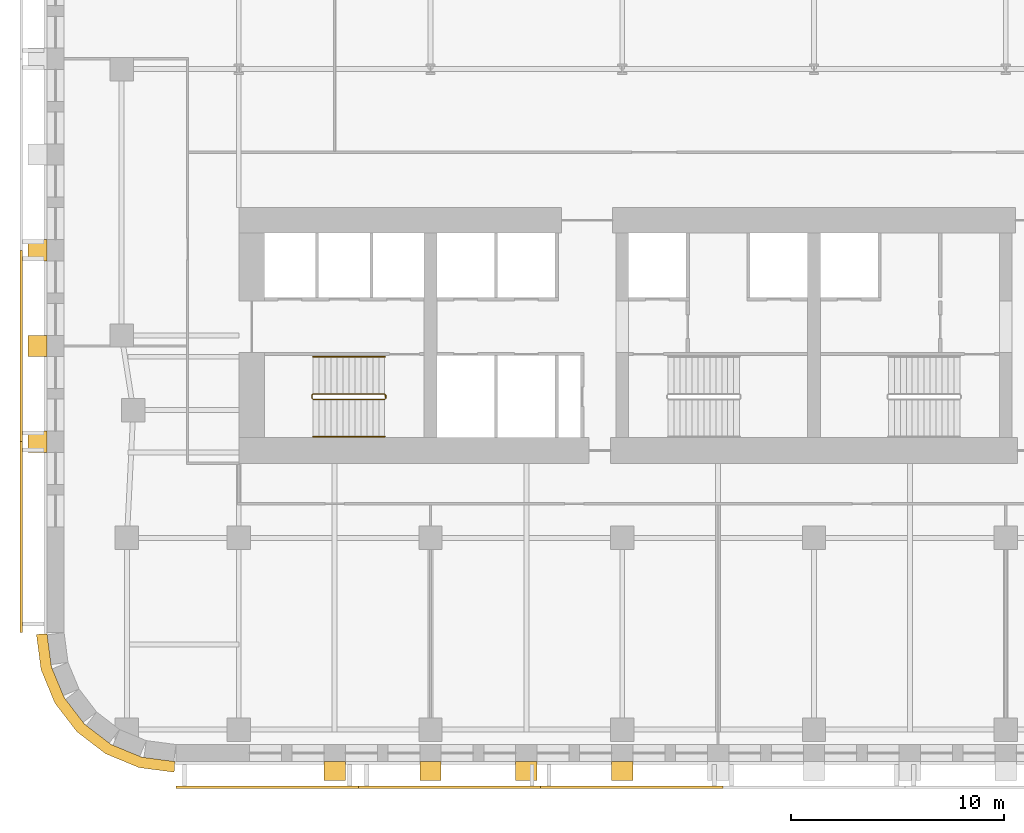
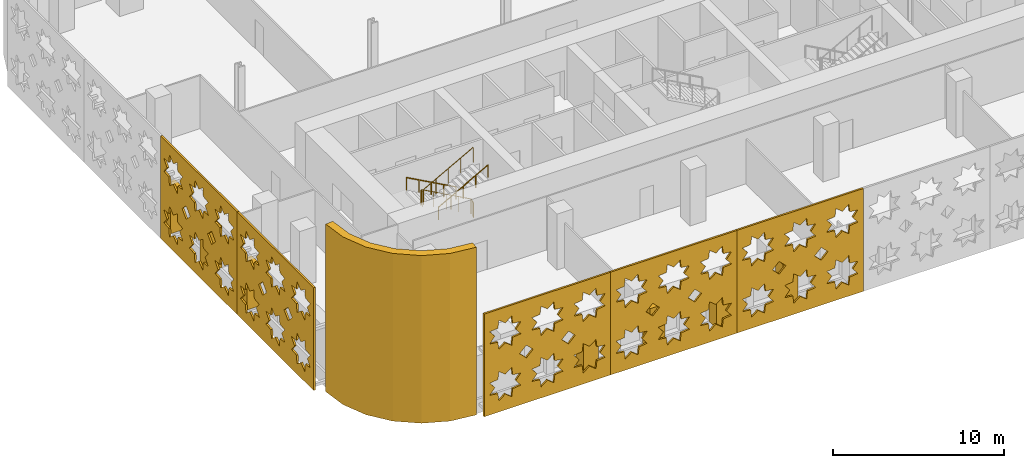
# One storey, part 9 of 13: 13 coverings, 3 railings.
"""IFC4 building model written with IfcOpenShell, lengths in metres."""

import ifcopenshell
import ifcopenshell.guid

model = None  # the IFC model being written
_history = None  # IfcOwnerHistory: only IFC2X3 demands one
_inside = {}  # id of a spatial element -> (the spatial element, [elements in it])
_under = {}  # id of a project, library or spatial element -> (it, [spatial elements below it])
_declared = {}  # id of a project -> (the project, [libraries it declares])
_typed = {}  # id of a type object -> (the type object, [elements of that type])
_made_of = {}  # id of a material, layer set ... -> (it, [elements and type objects made of it])


def new_model(schema):
    """Start an empty IFC model of exactly this schema.

    Asked for "IFC4X3", IfcOpenShell would pick the latest addendum, in which some entities
    have other attributes; the version numbers below select the first issue.
    IFC2X3 requires an IfcOwnerHistory on every rooted entity: one is made here for all.
    """
    global model, _history
    if schema == "IFC4X3":
        model = ifcopenshell.file(schema_version=(4, 3, 0, 0))
    else:
        model = ifcopenshell.file(schema=schema)
    _inside.clear()
    _under.clear()
    _declared.clear()
    _typed.clear()
    _made_of.clear()
    _history = None
    if model.schema == "IFC2X3":
        org = make("IfcOrganization", Name="unknown")
        user = make(
            "IfcPersonAndOrganization",
            ThePerson=make("IfcPerson", FamilyName="unknown"),
            TheOrganization=org,
        )
        app = make(
            "IfcApplication",
            ApplicationDeveloper=org,
            Version="unknown",
            ApplicationFullName="unknown",
            ApplicationIdentifier="unknown",
        )
        _history = make(
            "IfcOwnerHistory",
            OwningUser=user,
            OwningApplication=app,
            ChangeAction="ADDED",
            CreationDate=0,
        )
    return model


def make(cls, **values):
    """One entity of the class cls with the attributes given. An attribute that is None is left unset."""
    return model.create_entity(
        cls, **{name: value for name, value in values.items() if value is not None}
    )


def rooted(cls, **values):
    """An entity with a GlobalId (a new one), such as an element, a storey or a relation."""
    return make(cls, GlobalId=ifcopenshell.guid.new(), OwnerHistory=_history, **values)


def si_unit(unit_type, name, prefix=None):
    """IfcSIUnit, for example si_unit("LENGTHUNIT", "METRE", prefix="MILLI")."""
    return make("IfcSIUnit", UnitType=unit_type, Prefix=prefix, Name=name)


def assignment(units):
    """IfcUnitAssignment: the units of a project."""
    return None if units is None else make("IfcUnitAssignment", Units=units)


def point(xyz):
    """IfcCartesianPoint."""
    return None if xyz is None else make("IfcCartesianPoint", Coordinates=xyz)


def direction(xyz):
    """IfcDirection."""
    return None if xyz is None else make("IfcDirection", DirectionRatios=xyz)


def frame(location, z_axis=None, x_axis=None):
    """IfcAxis2Placement3D, a coordinate frame: its origin and axes. An axis left out is left unset."""
    return make(
        "IfcAxis2Placement3D",
        Location=point(location),
        Axis=direction(z_axis),
        RefDirection=direction(x_axis),
    )


def frame_2d(location, x_axis=None):
    """IfcAxis2Placement2D, a coordinate frame in the plane: its origin and x axis."""
    return make(
        "IfcAxis2Placement2D", Location=point(location), RefDirection=direction(x_axis)
    )


def origin():
    """The frame at (0, 0, 0) with its axes left unset."""
    return frame((0.0, 0.0, 0.0))


def origin_2d():
    """The frame at (0, 0) in the plane with its x axis left unset."""
    return frame_2d((0.0, 0.0))


def place(relative_to, where):
    """IfcLocalPlacement: puts the frame where relative to a parent placement (None: the world)."""
    return make(
        "IfcLocalPlacement", PlacementRelTo=relative_to, RelativePlacement=where
    )


def context(
    kind, dimensions, precision=None, world=None, true_north=None, identifier=None
):
    """IfcGeometricRepresentationContext, for example the 3D "Model" context."""
    return make(
        "IfcGeometricRepresentationContext",
        ContextIdentifier=identifier,
        ContextType=kind,
        CoordinateSpaceDimension=dimensions,
        Precision=precision,
        WorldCoordinateSystem=world,
        TrueNorth=true_north,
    )


def subcontext(parent, identifier, kind, view, scale=None):
    """IfcGeometricRepresentationSubContext, for example "Body" below "Model"."""
    return make(
        "IfcGeometricRepresentationSubContext",
        ContextIdentifier=identifier,
        ContextType=kind,
        ParentContext=parent,
        TargetScale=scale,
        TargetView=view,
    )


def project(units=None, contexts=None):
    """IfcProject with its units and contexts."""
    return rooted(
        "IfcProject",
        Name="project",
        RepresentationContexts=contexts,
        UnitsInContext=assignment(units),
    )


def spatial(cls, under=None, at=None, **own):
    """A site, building, storey or space (cls), placed at a placement, below another one or the project."""
    s = rooted(cls, ObjectPlacement=at, **own)
    if under is not None:
        _under.setdefault(under.id(), (under, []))[1].append(s)
    return s


def polyline(points):
    """IfcPolyline through the points."""
    return make("IfcPolyline", Points=[point(p) for p in points])


def profile(cls, at=None, kind="AREA", **sizes):
    """A parametric profile (cls). Its sizes go by their IFC names, for example OverallWidth=200.0."""
    return make(cls, ProfileType=kind, Position=at, **sizes)


def circle(**sizes):
    """IfcCircleProfileDef."""
    return profile("IfcCircleProfileDef", **sizes)


def outline(outer, holes=None, kind="AREA"):
    """IfcArbitraryClosedProfileDef: a profile drawn as a closed curve; with holes, ...WithVoids."""
    if holes is None:
        return make("IfcArbitraryClosedProfileDef", ProfileType=kind, OuterCurve=outer)
    return make(
        "IfcArbitraryProfileDefWithVoids",
        ProfileType=kind,
        OuterCurve=outer,
        InnerCurves=holes,
    )


def extrude(swept, where, along, depth):
    """IfcExtrudedAreaSolid: the profile swept, set in the frame where, extruded along a direction by depth."""
    return make(
        "IfcExtrudedAreaSolid",
        SweptArea=swept,
        Position=where,
        ExtrudedDirection=direction(along),
        Depth=depth,
    )


def shape(context_of_items, identifier, shape_type, items):
    """IfcShapeRepresentation: the items that make up one representation, for example the "Body"."""
    return make(
        "IfcShapeRepresentation",
        ContextOfItems=context_of_items,
        RepresentationIdentifier=identifier,
        RepresentationType=shape_type,
        Items=items,
    )


def material(Name=None, Category=None):
    """IfcMaterial."""
    return make("IfcMaterial", Name=Name, Category=Category)


def layer(
    of_material, thickness, ventilated=None, Name=None, Category=None, Priority=None
):
    """IfcMaterialLayer: one layer of a wall or slab, of a material (None: an air gap)."""
    return make(
        "IfcMaterialLayer",
        Material=of_material,
        LayerThickness=thickness,
        IsVentilated=ventilated,
        Name=Name,
        Category=Category,
        Priority=Priority,
    )


def layer_set(layers, Name=None):
    """IfcMaterialLayerSet."""
    return make("IfcMaterialLayerSet", MaterialLayers=layers, LayerSetName=Name)


def made_of(thing, what):
    """Note that an element or type object is made of a material, layer set ...; save() writes the relation."""
    if what is not None:
        _made_of.setdefault(what.id(), (what, []))[1].append(thing)
    return thing


def type_object(cls, material=None, **own):
    """A type object (cls), such as IfcWallType, which elements share."""
    return made_of(rooted(cls, **own), material)


def element(
    cls,
    number,
    at=None,
    inside=None,
    cuts=None,
    type_object=None,
    material=None,
    context=None,
    identifier="Body",
    shape_type=None,
    held_by="IfcProductDefinitionShape",
    body=None,
    shapes=None,
    **own,
):
    """One element of the class cls, such as IfcWall. Its Tag is "e" and its number.

    at: its placement. inside: the storey or other place that contains it. cuts: it is an
    opening in that element (IfcRelVoidsElement). A single representation is given by context,
    identifier, shape_type and body (its items); several are given by shapes. held_by: the class
    of the entity that holds the representations. save() writes the other relations.
    """
    e = rooted(cls, Tag="e%d" % number, ObjectPlacement=at, **own)
    if body is not None:
        shapes = [shape(context, identifier, shape_type, body)]
    if shapes is not None:
        e.Representation = make(held_by, Representations=shapes)
    if inside is not None:
        _inside.setdefault(inside.id(), (inside, []))[1].append(e)
    if cuts is not None:
        rooted(
            "IfcRelVoidsElement", RelatingBuildingElement=cuts, RelatedOpeningElement=e
        )
    if type_object is not None:
        _typed.setdefault(type_object.id(), (type_object, []))[1].append(e)
    return made_of(e, material)


def aggregate(whole, parts):
    """IfcRelAggregates: a whole, such as a stair, and the parts it consists of."""
    return rooted("IfcRelAggregates", RelatingObject=whole, RelatedObjects=parts)


def save(model, path):
    """Write the relations noted so far, then the file.

    IfcRelAggregates (storeys below a building ...), IfcRelContainedInSpatialStructure (elements
    in a storey), IfcRelDefinesByType, IfcRelAssociatesMaterial and IfcRelDeclares: one each for
    every whole, place, type object, material and project.
    """
    for whole, parts in _under.values():
        aggregate(whole, parts)
    for where, things in _inside.values():
        rooted(
            "IfcRelContainedInSpatialStructure",
            RelatedElements=things,
            RelatingStructure=where,
        )
    for kind, things in _typed.values():
        rooted("IfcRelDefinesByType", RelatedObjects=things, RelatingType=kind)
    for what, things in _made_of.values():
        rooted("IfcRelAssociatesMaterial", RelatedObjects=things, RelatingMaterial=what)
    for by, libraries in _declared.values():
        rooted("IfcRelDeclares", RelatingContext=by, RelatedDefinitions=libraries)
    model.write(path)


model = new_model("IFC4")

# Units and contexts
model_context = context("Model", 3, precision=1e-05, world=origin(), true_north=direction((0.0, 1.0)))
body_context = subcontext(model_context, "Body", "Model", "MODEL_VIEW")
ifc_project = project(units=[si_unit("LENGTHUNIT", "METRE"), si_unit("AREAUNIT", "SQUARE_METRE"), si_unit("VOLUMEUNIT", "CUBIC_METRE"), si_unit("PLANEANGLEUNIT", "RADIAN"), si_unit("MASSUNIT", "GRAM", prefix="KILO")], contexts=[model_context])

# Site, building, storey
site_placement = place(None, origin())
site = spatial("IfcSite", under=ifc_project, at=site_placement, CompositionType="ELEMENT")
building_placement = place(site_placement, origin())
building = spatial("IfcBuilding", under=site, at=building_placement, Name="Zellij Exchange Tower", CompositionType="ELEMENT")
storey_placement = place(building_placement, frame((0.0, 0.0, 52.5)))
storey = spatial("IfcBuildingStorey", under=building, at=storey_placement, Name="L09", CompositionType="ELEMENT", Elevation=52.5)

# Railings
ifc_material_1 = material(Name="Stainless steel", Category="steel")
railing_type_1 = type_object("IfcRailingType", Name="CORE-RG stair guard", PredefinedType="GUARDRAIL", material=ifc_material_1)
railing_1_placement = place(storey_placement, frame((-20.10009765625, -10.800048828125, 0.0)))
element("IfcRailing", 1, at=railing_1_placement, inside=storey, type_object=railing_type_1, Name="ST1 stair guard L09", PredefinedType="GUARDRAIL", context=body_context, shape_type="SweptSolid", body=[
    extrude(circle(Radius=0.02392578125, at=origin_2d()), frame((0.0, 0.0, 1.076171875), z_axis=(0.0, -1.0, 0.0), x_axis=(1.0, 0.0, 0.0)), (0.0, 0.0, 1.0), 0.14990234375),
    extrude(circle(Radius=0.02392578125, at=origin_2d()), frame((0.0, -0.14990234375, 1.076171875), z_axis=(-0.193691321961, 0.777613689637, 0.598164376644), x_axis=(-0.970351222016, -0.241699205484, 0.0)), (0.0, 0.0, 1.0), 0.257080078125),
    extrude(circle(Radius=0.02392578125, at=origin_2d()), frame((-0.0498046875, 0.050048828125, 1.22998046875), z_axis=(-0.876421534553, 0.0, 0.481544695509), x_axis=(0.0, -1.0, 0.0)), (0.0, 0.0, 1.0), 3.833984375),
    extrude(circle(Radius=0.02392578125, at=origin_2d()), frame((-3.409912109375, 0.050048828125, 3.076171875), z_axis=(-0.707106781187, -0.707106781187, 0.0), x_axis=(0.707106781187, -0.707106781187, 0.0)), (0.0, 0.0, 1.0), 0.07080078125),
    extrude(circle(Radius=0.02392578125, at=origin_2d()), frame((-3.4599609375, 0.0, 3.076171875), z_axis=(0.0, -1.0, 0.0), x_axis=(1.0, 0.0, 0.0)), (0.0, 0.0, 1.0), 0.14990234375),
    extrude(circle(Radius=0.02392578125, at=origin_2d()), frame((-3.4599609375, -0.14990234375, 3.076171875), z_axis=(0.295599637079, -0.295599637079, 0.908428152975), x_axis=(0.707106781187, 0.707106781187, 0.0)), (0.0, 0.0, 1.0), 0.16943359375),
    extrude(circle(Radius=0.02392578125, at=origin_2d()), frame((-3.409912109375, -0.199951171875, 3.22998046875), z_axis=(0.876421534553, 0.0, 0.481544695509), x_axis=(0.0, 1.0, 0.0)), (0.0, 0.0, 1.0), 3.833984375),
    extrude(circle(Radius=0.02099609375, at=origin_2d()), origin(), (0.0, 0.0, 1.0), 1.052001953125),
    extrude(circle(Radius=0.02099609375, at=origin_2d()), frame((0.0, -0.14990234375, 0.0)), (0.0, 0.0, 1.0), 1.052001953125),
    extrude(circle(Radius=0.02099609375, at=origin_2d()), frame((-0.0498046875, 0.050048828125, 0.15380859375)), (0.0, 0.0, 1.0), 1.052001953125),
    extrude(circle(Radius=0.02099609375, at=origin_2d()), frame((-0.889892578125, 0.050048828125, 0.615234375)), (0.0, 0.0, 1.0), 1.052001953125),
    extrude(circle(Radius=0.02099609375, at=origin_2d()), frame((-1.72998046875, 0.050048828125, 1.076904296875)), (0.0, 0.0, 1.0), 1.052001953125),
    extrude(circle(Radius=0.02099609375, at=origin_2d()), frame((-2.56982421875, 0.050048828125, 1.53857421875)), (0.0, 0.0, 1.0), 1.052001953125),
    extrude(circle(Radius=0.02099609375, at=origin_2d()), frame((-3.409912109375, 0.050048828125, 2.0)), (0.0, 0.0, 1.0), 1.052001953125),
    extrude(circle(Radius=0.02099609375, at=origin_2d()), frame((-3.4599609375, 0.0, 2.0)), (0.0, 0.0, 1.0), 1.052001953125),
    extrude(circle(Radius=0.02099609375, at=origin_2d()), frame((-3.4599609375, -0.14990234375, 2.0)), (0.0, 0.0, 1.0), 1.052001953125),
    extrude(circle(Radius=0.02099609375, at=origin_2d()), frame((-3.409912109375, -0.199951171875, 2.15380859375)), (0.0, 0.0, 1.0), 1.052001953125),
    extrude(circle(Radius=0.02099609375, at=origin_2d()), frame((-2.56982421875, -0.199951171875, 2.615234375)), (0.0, 0.0, 1.0), 1.052001953125),
    extrude(circle(Radius=0.02099609375, at=origin_2d()), frame((-1.72998046875, -0.199951171875, 3.076904296875)), (0.0, 0.0, 1.0), 1.052001953125),
    extrude(circle(Radius=0.02099609375, at=origin_2d()), frame((-0.889892578125, -0.199951171875, 3.53857421875)), (0.0, 0.0, 1.0), 1.052001953125),
    extrude(circle(Radius=0.02099609375, at=origin_2d()), frame((-0.0498046875, -0.199951171875, 4.0)), (0.0, 0.0, 1.0), 1.052001953125),
])
railing_type_2 = type_object("IfcRailingType", Name="CORE-RH stair handrail", PredefinedType="HANDRAIL", material=ifc_material_1)
railing_2_placement = place(storey_placement, frame((-20.14990234375, -9.0, 0.15380859375)))
element("IfcRailing", 2, at=railing_2_placement, inside=storey, type_object=railing_type_2, Name="ST1 stair handrail L09", PredefinedType="HANDRAIL", context=body_context, shape_type="SweptSolid", body=[
    extrude(circle(Radius=0.02392578125, at=origin_2d()), frame((0.0, 0.0, 0.8759765625), z_axis=(-0.876421534553, 0.0, 0.481544695509), x_axis=(0.0, -1.0, 0.0)), (0.0, 0.0, 1.0), 3.833984375),
    extrude(circle(Radius=0.02099609375, at=origin_2d()), origin(), (0.0, 0.0, 1.0), 0.851806640625),
    extrude(circle(Radius=0.02099609375, at=origin_2d()), frame((-0.840087890625, 0.0, 0.46142578125)), (0.0, 0.0, 1.0), 0.851806640625),
    extrude(circle(Radius=0.02099609375, at=origin_2d()), frame((-1.68017578125, 0.0, 0.923095703125)), (0.0, 0.0, 1.0), 0.851806640625),
    extrude(circle(Radius=0.02099609375, at=origin_2d()), frame((-2.52001953125, 0.0, 1.384765625)), (0.0, 0.0, 1.0), 0.851806640625),
    extrude(circle(Radius=0.02099609375, at=origin_2d()), frame((-3.360107421875, 0.0, 1.84619140625)), (0.0, 0.0, 1.0), 0.851806640625),
])
railing_3_placement = place(storey_placement, frame((-23.510009765625, -12.75, 2.15380859375)))
element("IfcRailing", 3, at=railing_3_placement, inside=storey, type_object=railing_type_2, Name="ST1 stair handrail L09", PredefinedType="HANDRAIL", context=body_context, shape_type="SweptSolid", body=[
    extrude(circle(Radius=0.02392578125, at=origin_2d()), frame((0.0, 0.0, 0.8759765625), z_axis=(0.876421534553, 0.0, 0.481544695509), x_axis=(0.0, 1.0, 0.0)), (0.0, 0.0, 1.0), 3.833984375),
    extrude(circle(Radius=0.02099609375, at=origin_2d()), origin(), (0.0, 0.0, 1.0), 0.851806640625),
    extrude(circle(Radius=0.02099609375, at=origin_2d()), frame((0.840087890625, 0.0, 0.46142578125)), (0.0, 0.0, 1.0), 0.851806640625),
    extrude(circle(Radius=0.02099609375, at=origin_2d()), frame((1.68017578125, 0.0, 0.923095703125)), (0.0, 0.0, 1.0), 0.851806640625),
    extrude(circle(Radius=0.02099609375, at=origin_2d()), frame((2.52001953125, 0.0, 1.384765625)), (0.0, 0.0, 1.0), 0.851806640625),
    extrude(circle(Radius=0.02099609375, at=origin_2d()), frame((3.360107421875, 0.0, 1.84619140625)), (0.0, 0.0, 1.0), 0.851806640625),
])

# Coverings
ifc_material_2 = material(Name="Limestone cladding", Category="masonry")
ifc_layer_1 = layer(ifc_material_2, 0.5)
ifc_layer_set_1 = layer_set([ifc_layer_1], Name="Limestone cladding")
covering_type_1 = type_object("IfcCoveringType", Name="ENV-CV12 Stone corner pier 500", PredefinedType="CLADDING", material=ifc_layer_set_1)
covering_1_placement = place(storey_placement, origin())
element("IfcCovering", 4, at=covering_1_placement, inside=storey, type_object=covering_type_1, Name="Stone corner pier", PredefinedType="CLADDING", context=body_context, shape_type="SweptSolid", body=[
    extrude(outline(polyline([(-36.0, -22.0), (-35.795654296875, -23.552978515625), (-35.1962890625, -25.0), (-34.24267578125, -26.24267578125), (-33.0, -27.1962890625), (-31.552978515625, -27.795654296875), (-30.0, -28.0), (-30.03271484375, -28.5), (-31.683349609375, -28.28271484375), (-33.252197265625, -27.6328125), (-34.59912109375, -26.59912109375), (-35.6328125, -25.252197265625), (-36.28271484375, -23.683349609375), (-36.5, -22.03271484375), (-36.0, -22.0)])), origin(), (0.0, 0.0, 1.0), 12.0),
])
covering_type_2 = type_object("IfcCoveringType", Name="ENV-CV2 Stone pier 1000x900", PredefinedType="CLADDING", material=ifc_material_2)
covering_2_placement = place(storey_placement, frame((0.0, 0.0, 0.800048828125)))
element("IfcCovering", 5, at=covering_2_placement, inside=storey, type_object=covering_type_2, Name="Stone pier", PredefinedType="CLADDING", context=body_context, shape_type="SweptSolid", body=[
    extrude(outline(polyline([(-23.0, -28.0), (-22.0, -28.0), (-22.0, -28.89990234375), (-23.0, -28.89990234375), (-23.0, -28.0)])), origin(), (0.0, 0.0, 1.0), 3.0),
])
covering_3_placement = place(storey_placement, frame((0.0, 0.0, 0.800048828125)))
element("IfcCovering", 6, at=covering_3_placement, inside=storey, type_object=covering_type_2, Name="Stone pier", PredefinedType="CLADDING", context=body_context, shape_type="SweptSolid", body=[
    extrude(outline(polyline([(-18.5, -28.0), (-17.5, -28.0), (-17.5, -28.89990234375), (-18.5, -28.89990234375), (-18.5, -28.0)])), origin(), (0.0, 0.0, 1.0), 3.0),
])
covering_4_placement = place(storey_placement, frame((0.0, 0.0, 0.800048828125)))
element("IfcCovering", 7, at=covering_4_placement, inside=storey, type_object=covering_type_2, Name="Stone pier", PredefinedType="CLADDING", context=body_context, shape_type="SweptSolid", body=[
    extrude(outline(polyline([(-14.0, -28.0), (-13.0, -28.0), (-13.0, -28.89990234375), (-14.0, -28.89990234375), (-14.0, -28.0)])), origin(), (0.0, 0.0, 1.0), 3.0),
])
covering_5_placement = place(storey_placement, frame((0.0, 0.0, 0.800048828125)))
element("IfcCovering", 8, at=covering_5_placement, inside=storey, type_object=covering_type_2, Name="Stone pier", PredefinedType="CLADDING", context=body_context, shape_type="SweptSolid", body=[
    extrude(outline(polyline([(-9.5, -28.0), (-8.5, -28.0), (-8.5, -28.89990234375), (-9.5, -28.89990234375), (-9.5, -28.0)])), origin(), (0.0, 0.0, 1.0), 3.0),
])
covering_6_placement = place(storey_placement, frame((0.0, 0.0, 0.800048828125)))
element("IfcCovering", 9, at=covering_6_placement, inside=storey, type_object=covering_type_2, Name="Stone pier", PredefinedType="CLADDING", context=body_context, shape_type="SweptSolid", body=[
    extrude(outline(polyline([(-36.0, -3.5), (-36.0, -4.5), (-36.89990234375, -4.5), (-36.89990234375, -3.5), (-36.0, -3.5)])), origin(), (0.0, 0.0, 1.0), 3.0),
])
covering_7_placement = place(storey_placement, frame((0.0, 0.0, 0.800048828125)))
element("IfcCovering", 10, at=covering_7_placement, inside=storey, type_object=covering_type_2, Name="Stone pier", PredefinedType="CLADDING", context=body_context, shape_type="SweptSolid", body=[
    extrude(outline(polyline([(-36.0, -7.993408203125), (-36.0, -8.993408203125), (-36.89990234375, -8.993408203125), (-36.89990234375, -7.993408203125), (-36.0, -7.993408203125)])), origin(), (0.0, 0.0, 1.0), 3.0),
])
covering_8_placement = place(storey_placement, frame((0.0, 0.0, 0.800048828125)))
element("IfcCovering", 11, at=covering_8_placement, inside=storey, type_object=covering_type_2, Name="Stone pier", PredefinedType="CLADDING", context=body_context, shape_type="SweptSolid", body=[
    extrude(outline(polyline([(-36.0, -12.48681640625), (-36.0, -13.48681640625), (-36.89990234375, -13.48681640625), (-36.89990234375, -12.48681640625), (-36.0, -12.48681640625)])), origin(), (0.0, 0.0, 1.0), 3.0),
])
ifc_material_3 = material(Name="Limestone screen", Category="masonry")
ifc_layer_2 = layer(ifc_material_3, 0.1201171875)
ifc_layer_set_2 = layer_set([ifc_layer_2], Name="Limestone screen")
covering_type_3 = type_object("IfcCoveringType", Name="ENV-SC1 Pierced stone screen 120", PredefinedType="USERDEFINED", material=ifc_layer_set_2)
covering_9_placement = place(storey_placement, frame((-37.2099609375, -4.0, 0.300048828125), z_axis=(0.0, 0.0, 1.0), x_axis=(0.0, -1.0, 0.0)))
element("IfcCovering", 12, at=covering_9_placement, inside=storey, type_object=covering_type_3, Name="Pierced stone screen", ObjectType="SCREEN", PredefinedType="USERDEFINED", context=body_context, shape_type="SweptSolid", body=[
    extrude(outline(polyline([(0.0, 0.0), (8.973876953125, 0.0), (8.973876953125, 7.35009765625), (0.0, 7.35009765625), (0.0, 0.0)]), holes=[polyline([(2.60107421875, 2.29541015625), (2.020263671875, 2.362060546875), (1.95361328125, 2.94287109375), (1.49560546875, 2.579345703125), (1.03759765625, 2.94287109375), (0.97119140625, 2.362060546875), (0.39013671875, 2.29541015625), (0.75390625, 1.83740234375), (0.39013671875, 1.379638671875), (0.97119140625, 1.31298828125), (1.03759765625, 0.732177734375), (1.49560546875, 1.095703125), (1.95361328125, 0.732177734375), (2.020263671875, 1.31298828125), (2.60107421875, 1.379638671875), (2.237548828125, 1.83740234375), (2.60107421875, 2.29541015625)]), polyline([(2.60107421875, 5.970458984375), (2.020263671875, 6.037109375), (1.95361328125, 6.617919921875), (1.49560546875, 6.25439453125), (1.03759765625, 6.617919921875), (0.97119140625, 6.037109375), (0.39013671875, 5.970458984375), (0.75390625, 5.512451171875), (0.39013671875, 5.0546875), (0.97119140625, 4.98779296875), (1.03759765625, 4.406982421875), (1.49560546875, 4.770751953125), (1.95361328125, 4.406982421875), (2.020263671875, 4.98779296875), (2.60107421875, 5.0546875), (2.237548828125, 5.512451171875), (2.60107421875, 5.970458984375)]), polyline([(5.59228515625, 2.29541015625), (5.011474609375, 2.362060546875), (4.94482421875, 2.94287109375), (4.48681640625, 2.579345703125), (4.029052734375, 2.94287109375), (3.96240234375, 2.362060546875), (3.381591796875, 2.29541015625), (3.7451171875, 1.83740234375), (3.381591796875, 1.379638671875), (3.96240234375, 1.31298828125), (4.029052734375, 0.732177734375), (4.48681640625, 1.095703125), (4.94482421875, 0.732177734375), (5.011474609375, 1.31298828125), (5.59228515625, 1.379638671875), (5.228759765625, 1.83740234375), (5.59228515625, 2.29541015625)]), polyline([(5.59228515625, 5.970458984375), (5.011474609375, 6.037109375), (4.94482421875, 6.617919921875), (4.48681640625, 6.25439453125), (4.029052734375, 6.617919921875), (3.96240234375, 6.037109375), (3.381591796875, 5.970458984375), (3.7451171875, 5.512451171875), (3.381591796875, 5.0546875), (3.96240234375, 4.98779296875), (4.029052734375, 4.406982421875), (4.48681640625, 4.770751953125), (4.94482421875, 4.406982421875), (5.011474609375, 4.98779296875), (5.59228515625, 5.0546875), (5.228759765625, 5.512451171875), (5.59228515625, 5.970458984375)]), polyline([(8.58349609375, 2.29541015625), (8.002685546875, 2.362060546875), (7.93603515625, 2.94287109375), (7.478271484375, 2.579345703125), (7.020263671875, 2.94287109375), (6.95361328125, 2.362060546875), (6.372802734375, 2.29541015625), (6.736328125, 1.83740234375), (6.372802734375, 1.379638671875), (6.95361328125, 1.31298828125), (7.020263671875, 0.732177734375), (7.478271484375, 1.095703125), (7.93603515625, 0.732177734375), (8.002685546875, 1.31298828125), (8.58349609375, 1.379638671875), (8.219970703125, 1.83740234375), (8.58349609375, 2.29541015625)]), polyline([(8.58349609375, 5.970458984375), (8.002685546875, 6.037109375), (7.93603515625, 6.617919921875), (7.478271484375, 6.25439453125), (7.020263671875, 6.617919921875), (6.95361328125, 6.037109375), (6.372802734375, 5.970458984375), (6.736328125, 5.512451171875), (6.372802734375, 5.0546875), (6.95361328125, 4.98779296875), (7.020263671875, 4.406982421875), (7.478271484375, 4.770751953125), (7.93603515625, 4.406982421875), (8.002685546875, 4.98779296875), (8.58349609375, 5.0546875), (8.219970703125, 5.512451171875), (8.58349609375, 5.970458984375)]), polyline([(3.469970703125, 3.675048828125), (2.9912109375, 4.153564453125), (2.5126953125, 3.675048828125), (2.9912109375, 3.1962890625), (3.469970703125, 3.675048828125)]), polyline([(6.461181640625, 3.675048828125), (5.982421875, 4.153564453125), (5.50390625, 3.675048828125), (5.982421875, 3.1962890625), (6.461181640625, 3.675048828125)])]), frame((0.0, 0.06005859375, 0.0), z_axis=(0.0, -1.0, 0.0), x_axis=(1.0, 0.0, 0.0)), (0.0, 0.0, 1.0), 0.1201171875),
])
covering_10_placement = place(storey_placement, frame((-37.2099609375, -12.973876953125, 0.300048828125), z_axis=(0.0, 0.0, 1.0), x_axis=(0.0, -1.0, 0.0)))
element("IfcCovering", 13, at=covering_10_placement, inside=storey, type_object=covering_type_3, Name="Pierced stone screen", ObjectType="SCREEN", PredefinedType="USERDEFINED", context=body_context, shape_type="SweptSolid", body=[
    extrude(outline(polyline([(0.0, 0.0), (8.973876953125, 0.0), (8.973876953125, 7.35009765625), (0.0, 7.35009765625), (0.0, 0.0)]), holes=[polyline([(2.60107421875, 2.29541015625), (2.020263671875, 2.362060546875), (1.95361328125, 2.94287109375), (1.49560546875, 2.579345703125), (1.03759765625, 2.94287109375), (0.97119140625, 2.362060546875), (0.39013671875, 2.29541015625), (0.75390625, 1.83740234375), (0.39013671875, 1.379638671875), (0.97119140625, 1.31298828125), (1.03759765625, 0.732177734375), (1.49560546875, 1.095703125), (1.95361328125, 0.732177734375), (2.020263671875, 1.31298828125), (2.60107421875, 1.379638671875), (2.237548828125, 1.83740234375), (2.60107421875, 2.29541015625)]), polyline([(2.60107421875, 5.970458984375), (2.020263671875, 6.037109375), (1.95361328125, 6.617919921875), (1.49560546875, 6.25439453125), (1.03759765625, 6.617919921875), (0.97119140625, 6.037109375), (0.39013671875, 5.970458984375), (0.75390625, 5.512451171875), (0.39013671875, 5.0546875), (0.97119140625, 4.98779296875), (1.03759765625, 4.406982421875), (1.49560546875, 4.770751953125), (1.95361328125, 4.406982421875), (2.020263671875, 4.98779296875), (2.60107421875, 5.0546875), (2.237548828125, 5.512451171875), (2.60107421875, 5.970458984375)]), polyline([(5.59228515625, 2.29541015625), (5.011474609375, 2.362060546875), (4.94482421875, 2.94287109375), (4.48681640625, 2.579345703125), (4.029052734375, 2.94287109375), (3.96240234375, 2.362060546875), (3.381591796875, 2.29541015625), (3.7451171875, 1.83740234375), (3.381591796875, 1.379638671875), (3.96240234375, 1.31298828125), (4.029052734375, 0.732177734375), (4.48681640625, 1.095703125), (4.94482421875, 0.732177734375), (5.011474609375, 1.31298828125), (5.59228515625, 1.379638671875), (5.228759765625, 1.83740234375), (5.59228515625, 2.29541015625)]), polyline([(5.59228515625, 5.970458984375), (5.011474609375, 6.037109375), (4.94482421875, 6.617919921875), (4.48681640625, 6.25439453125), (4.029052734375, 6.617919921875), (3.96240234375, 6.037109375), (3.381591796875, 5.970458984375), (3.7451171875, 5.512451171875), (3.381591796875, 5.0546875), (3.96240234375, 4.98779296875), (4.029052734375, 4.406982421875), (4.48681640625, 4.770751953125), (4.94482421875, 4.406982421875), (5.011474609375, 4.98779296875), (5.59228515625, 5.0546875), (5.228759765625, 5.512451171875), (5.59228515625, 5.970458984375)]), polyline([(8.58349609375, 2.29541015625), (8.002685546875, 2.362060546875), (7.93603515625, 2.94287109375), (7.478271484375, 2.579345703125), (7.020263671875, 2.94287109375), (6.95361328125, 2.362060546875), (6.372802734375, 2.29541015625), (6.736328125, 1.83740234375), (6.372802734375, 1.379638671875), (6.95361328125, 1.31298828125), (7.020263671875, 0.732177734375), (7.478271484375, 1.095703125), (7.93603515625, 0.732177734375), (8.002685546875, 1.31298828125), (8.58349609375, 1.379638671875), (8.219970703125, 1.83740234375), (8.58349609375, 2.29541015625)]), polyline([(8.58349609375, 5.970458984375), (8.002685546875, 6.037109375), (7.93603515625, 6.617919921875), (7.478271484375, 6.25439453125), (7.020263671875, 6.617919921875), (6.95361328125, 6.037109375), (6.372802734375, 5.970458984375), (6.736328125, 5.512451171875), (6.372802734375, 5.0546875), (6.95361328125, 4.98779296875), (7.020263671875, 4.406982421875), (7.478271484375, 4.770751953125), (7.93603515625, 4.406982421875), (8.002685546875, 4.98779296875), (8.58349609375, 5.0546875), (8.219970703125, 5.512451171875), (8.58349609375, 5.970458984375)]), polyline([(3.469970703125, 3.675048828125), (2.9912109375, 4.153564453125), (2.5126953125, 3.675048828125), (2.9912109375, 3.1962890625), (3.469970703125, 3.675048828125)]), polyline([(6.461181640625, 3.675048828125), (5.982421875, 4.153564453125), (5.50390625, 3.675048828125), (5.982421875, 3.1962890625), (6.461181640625, 3.675048828125)])]), frame((0.0, 0.06005859375, 0.0), z_axis=(0.0, -1.0, 0.0), x_axis=(1.0, 0.0, 0.0)), (0.0, 0.0, 1.0), 0.1201171875),
])
covering_11_placement = place(storey_placement, frame((-29.947509765625, -29.2099609375, 0.300048828125), z_axis=(0.0, 0.0, 1.0), x_axis=(1.0, 0.0, 0.0)))
element("IfcCovering", 14, at=covering_11_placement, inside=storey, type_object=covering_type_3, Name="Pierced stone screen", ObjectType="SCREEN", PredefinedType="USERDEFINED", context=body_context, shape_type="SweptSolid", body=[
    extrude(outline(polyline([(0.0, 0.0), (8.556396484375, 0.0), (8.556396484375, 7.35009765625), (0.0, 7.35009765625), (0.0, 0.0)]), holes=[polyline([(2.47998046875, 2.274169921875), (1.92626953125, 2.337646484375), (1.86279296875, 2.8916015625), (1.426025390625, 2.544921875), (0.989501953125, 2.8916015625), (0.92578125, 2.337646484375), (0.3720703125, 2.274169921875), (0.71875, 1.83740234375), (0.3720703125, 1.40087890625), (0.92578125, 1.33740234375), (0.989501953125, 0.783447265625), (1.426025390625, 1.130126953125), (1.86279296875, 0.783447265625), (1.92626953125, 1.33740234375), (2.47998046875, 1.40087890625), (2.13330078125, 1.83740234375), (2.47998046875, 2.274169921875)]), polyline([(2.47998046875, 5.94921875), (1.92626953125, 6.0126953125), (1.86279296875, 6.56640625), (1.426025390625, 6.2197265625), (0.989501953125, 6.56640625), (0.92578125, 6.0126953125), (0.3720703125, 5.94921875), (0.71875, 5.512451171875), (0.3720703125, 5.075927734375), (0.92578125, 5.01220703125), (0.989501953125, 4.45849609375), (1.426025390625, 4.80517578125), (1.86279296875, 4.45849609375), (1.92626953125, 5.01220703125), (2.47998046875, 5.075927734375), (2.13330078125, 5.512451171875), (2.47998046875, 5.94921875)]), polyline([(5.332275390625, 2.274169921875), (4.7783203125, 2.337646484375), (4.71484375, 2.8916015625), (4.2783203125, 2.544921875), (3.841552734375, 2.8916015625), (3.778076171875, 2.337646484375), (3.22412109375, 2.274169921875), (3.57080078125, 1.83740234375), (3.22412109375, 1.40087890625), (3.778076171875, 1.33740234375), (3.841552734375, 0.783447265625), (4.2783203125, 1.130126953125), (4.71484375, 0.783447265625), (4.7783203125, 1.33740234375), (5.332275390625, 1.40087890625), (4.985595703125, 1.83740234375), (5.332275390625, 2.274169921875)]), polyline([(5.332275390625, 5.94921875), (4.7783203125, 6.0126953125), (4.71484375, 6.56640625), (4.2783203125, 6.2197265625), (3.841552734375, 6.56640625), (3.778076171875, 6.0126953125), (3.22412109375, 5.94921875), (3.57080078125, 5.512451171875), (3.22412109375, 5.075927734375), (3.778076171875, 5.01220703125), (3.841552734375, 4.45849609375), (4.2783203125, 4.80517578125), (4.71484375, 4.45849609375), (4.7783203125, 5.01220703125), (5.332275390625, 5.075927734375), (4.985595703125, 5.512451171875), (5.332275390625, 5.94921875)]), polyline([(8.184326171875, 2.274169921875), (7.630615234375, 2.337646484375), (7.56689453125, 2.8916015625), (7.13037109375, 2.544921875), (6.69384765625, 2.8916015625), (6.630126953125, 2.337646484375), (6.076416015625, 2.274169921875), (6.423095703125, 1.83740234375), (6.076416015625, 1.40087890625), (6.630126953125, 1.33740234375), (6.69384765625, 0.783447265625), (7.13037109375, 1.130126953125), (7.56689453125, 0.783447265625), (7.630615234375, 1.33740234375), (8.184326171875, 1.40087890625), (7.837646484375, 1.83740234375), (8.184326171875, 2.274169921875)]), polyline([(8.184326171875, 5.94921875), (7.630615234375, 6.0126953125), (7.56689453125, 6.56640625), (7.13037109375, 6.2197265625), (6.69384765625, 6.56640625), (6.630126953125, 6.0126953125), (6.076416015625, 5.94921875), (6.423095703125, 5.512451171875), (6.076416015625, 5.075927734375), (6.630126953125, 5.01220703125), (6.69384765625, 4.45849609375), (7.13037109375, 4.80517578125), (7.56689453125, 4.45849609375), (7.630615234375, 5.01220703125), (8.184326171875, 5.075927734375), (7.837646484375, 5.512451171875), (8.184326171875, 5.94921875)]), polyline([(3.30859375, 3.675048828125), (2.852294921875, 4.13134765625), (2.395751953125, 3.675048828125), (2.852294921875, 3.21875), (3.30859375, 3.675048828125)]), polyline([(6.16064453125, 3.675048828125), (5.704345703125, 4.13134765625), (5.248046875, 3.675048828125), (5.704345703125, 3.21875), (6.16064453125, 3.675048828125)])]), frame((0.0, 0.06005859375, 0.0), z_axis=(0.0, -1.0, 0.0), x_axis=(1.0, 0.0, 0.0)), (0.0, 0.0, 1.0), 0.1201171875),
])
covering_12_placement = place(storey_placement, frame((-21.39111328125, -29.2099609375, 0.300048828125), z_axis=(0.0, 0.0, 1.0), x_axis=(1.0, 0.0, 0.0)))
element("IfcCovering", 15, at=covering_12_placement, inside=storey, type_object=covering_type_3, Name="Pierced stone screen", ObjectType="SCREEN", PredefinedType="USERDEFINED", context=body_context, shape_type="SweptSolid", body=[
    extrude(outline(polyline([(0.0, 0.0), (8.556396484375, 0.0), (8.556396484375, 7.35009765625), (0.0, 7.35009765625), (0.0, 0.0)]), holes=[polyline([(2.47998046875, 2.274169921875), (1.92626953125, 2.337646484375), (1.86279296875, 2.8916015625), (1.426025390625, 2.544921875), (0.989501953125, 2.8916015625), (0.92578125, 2.337646484375), (0.3720703125, 2.274169921875), (0.71875, 1.83740234375), (0.3720703125, 1.40087890625), (0.92578125, 1.33740234375), (0.989501953125, 0.783447265625), (1.426025390625, 1.130126953125), (1.86279296875, 0.783447265625), (1.92626953125, 1.33740234375), (2.47998046875, 1.40087890625), (2.13330078125, 1.83740234375), (2.47998046875, 2.274169921875)]), polyline([(2.47998046875, 5.94921875), (1.92626953125, 6.0126953125), (1.86279296875, 6.56640625), (1.426025390625, 6.2197265625), (0.989501953125, 6.56640625), (0.92578125, 6.0126953125), (0.3720703125, 5.94921875), (0.71875, 5.512451171875), (0.3720703125, 5.075927734375), (0.92578125, 5.01220703125), (0.989501953125, 4.45849609375), (1.426025390625, 4.80517578125), (1.86279296875, 4.45849609375), (1.92626953125, 5.01220703125), (2.47998046875, 5.075927734375), (2.13330078125, 5.512451171875), (2.47998046875, 5.94921875)]), polyline([(5.332275390625, 2.274169921875), (4.7783203125, 2.337646484375), (4.71484375, 2.8916015625), (4.2783203125, 2.544921875), (3.841552734375, 2.8916015625), (3.778076171875, 2.337646484375), (3.22412109375, 2.274169921875), (3.57080078125, 1.83740234375), (3.22412109375, 1.40087890625), (3.778076171875, 1.33740234375), (3.841552734375, 0.783447265625), (4.2783203125, 1.130126953125), (4.71484375, 0.783447265625), (4.7783203125, 1.33740234375), (5.332275390625, 1.40087890625), (4.985595703125, 1.83740234375), (5.332275390625, 2.274169921875)]), polyline([(5.332275390625, 5.94921875), (4.7783203125, 6.0126953125), (4.71484375, 6.56640625), (4.2783203125, 6.2197265625), (3.841552734375, 6.56640625), (3.778076171875, 6.0126953125), (3.22412109375, 5.94921875), (3.57080078125, 5.512451171875), (3.22412109375, 5.075927734375), (3.778076171875, 5.01220703125), (3.841552734375, 4.45849609375), (4.2783203125, 4.80517578125), (4.71484375, 4.45849609375), (4.7783203125, 5.01220703125), (5.332275390625, 5.075927734375), (4.985595703125, 5.512451171875), (5.332275390625, 5.94921875)]), polyline([(8.184326171875, 2.274169921875), (7.630615234375, 2.337646484375), (7.56689453125, 2.8916015625), (7.13037109375, 2.544921875), (6.69384765625, 2.8916015625), (6.630126953125, 2.337646484375), (6.076416015625, 2.274169921875), (6.423095703125, 1.83740234375), (6.076416015625, 1.40087890625), (6.630126953125, 1.33740234375), (6.69384765625, 0.783447265625), (7.13037109375, 1.130126953125), (7.56689453125, 0.783447265625), (7.630615234375, 1.33740234375), (8.184326171875, 1.40087890625), (7.837646484375, 1.83740234375), (8.184326171875, 2.274169921875)]), polyline([(8.184326171875, 5.94921875), (7.630615234375, 6.0126953125), (7.56689453125, 6.56640625), (7.13037109375, 6.2197265625), (6.69384765625, 6.56640625), (6.630126953125, 6.0126953125), (6.076416015625, 5.94921875), (6.423095703125, 5.512451171875), (6.076416015625, 5.075927734375), (6.630126953125, 5.01220703125), (6.69384765625, 4.45849609375), (7.13037109375, 4.80517578125), (7.56689453125, 4.45849609375), (7.630615234375, 5.01220703125), (8.184326171875, 5.075927734375), (7.837646484375, 5.512451171875), (8.184326171875, 5.94921875)]), polyline([(3.30859375, 3.675048828125), (2.852294921875, 4.13134765625), (2.395751953125, 3.675048828125), (2.852294921875, 3.21875), (3.30859375, 3.675048828125)]), polyline([(6.16064453125, 3.675048828125), (5.704345703125, 4.13134765625), (5.248046875, 3.675048828125), (5.704345703125, 3.21875), (6.16064453125, 3.675048828125)])]), frame((0.0, 0.06005859375, 0.0), z_axis=(0.0, -1.0, 0.0), x_axis=(1.0, 0.0, 0.0)), (0.0, 0.0, 1.0), 0.1201171875),
])
covering_13_placement = place(storey_placement, frame((-12.834716796875, -29.2099609375, 0.300048828125), z_axis=(0.0, 0.0, 1.0), x_axis=(1.0, 0.0, 0.0)))
element("IfcCovering", 16, at=covering_13_placement, inside=storey, type_object=covering_type_3, Name="Pierced stone screen", ObjectType="SCREEN", PredefinedType="USERDEFINED", context=body_context, shape_type="SweptSolid", body=[
    extrude(outline(polyline([(0.0, 0.0), (8.556396484375, 0.0), (8.556396484375, 7.35009765625), (0.0, 7.35009765625), (0.0, 0.0)]), holes=[polyline([(2.47998046875, 2.274169921875), (1.92626953125, 2.337646484375), (1.86279296875, 2.8916015625), (1.426025390625, 2.544921875), (0.989501953125, 2.8916015625), (0.92578125, 2.337646484375), (0.3720703125, 2.274169921875), (0.71875, 1.83740234375), (0.3720703125, 1.40087890625), (0.92578125, 1.33740234375), (0.989501953125, 0.783447265625), (1.426025390625, 1.130126953125), (1.86279296875, 0.783447265625), (1.92626953125, 1.33740234375), (2.47998046875, 1.40087890625), (2.13330078125, 1.83740234375), (2.47998046875, 2.274169921875)]), polyline([(2.47998046875, 5.94921875), (1.92626953125, 6.0126953125), (1.86279296875, 6.56640625), (1.426025390625, 6.2197265625), (0.989501953125, 6.56640625), (0.92578125, 6.0126953125), (0.3720703125, 5.94921875), (0.71875, 5.512451171875), (0.3720703125, 5.075927734375), (0.92578125, 5.01220703125), (0.989501953125, 4.45849609375), (1.426025390625, 4.80517578125), (1.86279296875, 4.45849609375), (1.92626953125, 5.01220703125), (2.47998046875, 5.075927734375), (2.13330078125, 5.512451171875), (2.47998046875, 5.94921875)]), polyline([(5.332275390625, 2.274169921875), (4.7783203125, 2.337646484375), (4.71484375, 2.8916015625), (4.2783203125, 2.544921875), (3.841552734375, 2.8916015625), (3.778076171875, 2.337646484375), (3.22412109375, 2.274169921875), (3.57080078125, 1.83740234375), (3.22412109375, 1.40087890625), (3.778076171875, 1.33740234375), (3.841552734375, 0.783447265625), (4.2783203125, 1.130126953125), (4.71484375, 0.783447265625), (4.7783203125, 1.33740234375), (5.332275390625, 1.40087890625), (4.985595703125, 1.83740234375), (5.332275390625, 2.274169921875)]), polyline([(5.332275390625, 5.94921875), (4.7783203125, 6.0126953125), (4.71484375, 6.56640625), (4.2783203125, 6.2197265625), (3.841552734375, 6.56640625), (3.778076171875, 6.0126953125), (3.22412109375, 5.94921875), (3.57080078125, 5.512451171875), (3.22412109375, 5.075927734375), (3.778076171875, 5.01220703125), (3.841552734375, 4.45849609375), (4.2783203125, 4.80517578125), (4.71484375, 4.45849609375), (4.7783203125, 5.01220703125), (5.332275390625, 5.075927734375), (4.985595703125, 5.512451171875), (5.332275390625, 5.94921875)]), polyline([(8.184326171875, 2.274169921875), (7.630615234375, 2.337646484375), (7.56689453125, 2.8916015625), (7.13037109375, 2.544921875), (6.69384765625, 2.8916015625), (6.630126953125, 2.337646484375), (6.076416015625, 2.274169921875), (6.423095703125, 1.83740234375), (6.076416015625, 1.40087890625), (6.630126953125, 1.33740234375), (6.69384765625, 0.783447265625), (7.13037109375, 1.130126953125), (7.56689453125, 0.783447265625), (7.630615234375, 1.33740234375), (8.184326171875, 1.40087890625), (7.837646484375, 1.83740234375), (8.184326171875, 2.274169921875)]), polyline([(8.184326171875, 5.94921875), (7.630615234375, 6.0126953125), (7.56689453125, 6.56640625), (7.13037109375, 6.2197265625), (6.69384765625, 6.56640625), (6.630126953125, 6.0126953125), (6.076416015625, 5.94921875), (6.423095703125, 5.512451171875), (6.076416015625, 5.075927734375), (6.630126953125, 5.01220703125), (6.69384765625, 4.45849609375), (7.13037109375, 4.80517578125), (7.56689453125, 4.45849609375), (7.630615234375, 5.01220703125), (8.184326171875, 5.075927734375), (7.837646484375, 5.512451171875), (8.184326171875, 5.94921875)]), polyline([(3.30859375, 3.675048828125), (2.852294921875, 4.13134765625), (2.395751953125, 3.675048828125), (2.852294921875, 3.21875), (3.30859375, 3.675048828125)]), polyline([(6.16064453125, 3.675048828125), (5.704345703125, 4.13134765625), (5.248046875, 3.675048828125), (5.704345703125, 3.21875), (6.16064453125, 3.675048828125)])]), frame((0.0, 0.06005859375, 0.0), z_axis=(0.0, -1.0, 0.0), x_axis=(1.0, 0.0, 0.0)), (0.0, 0.0, 1.0), 0.1201171875),
])

save(model, "model.ifc")
